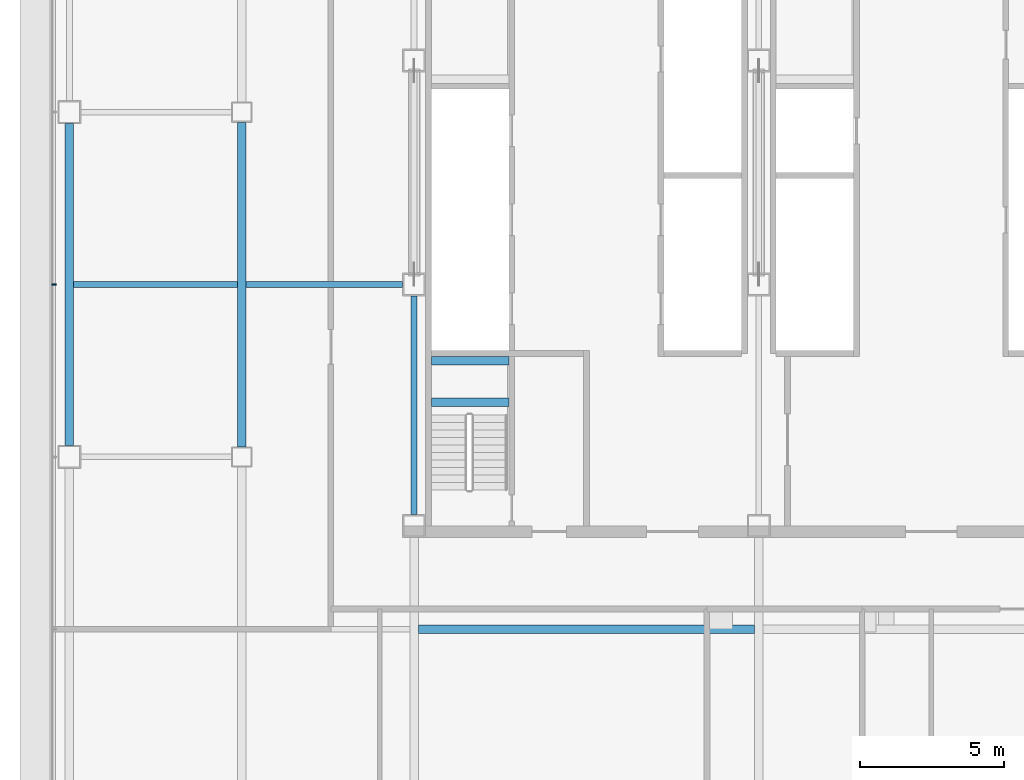
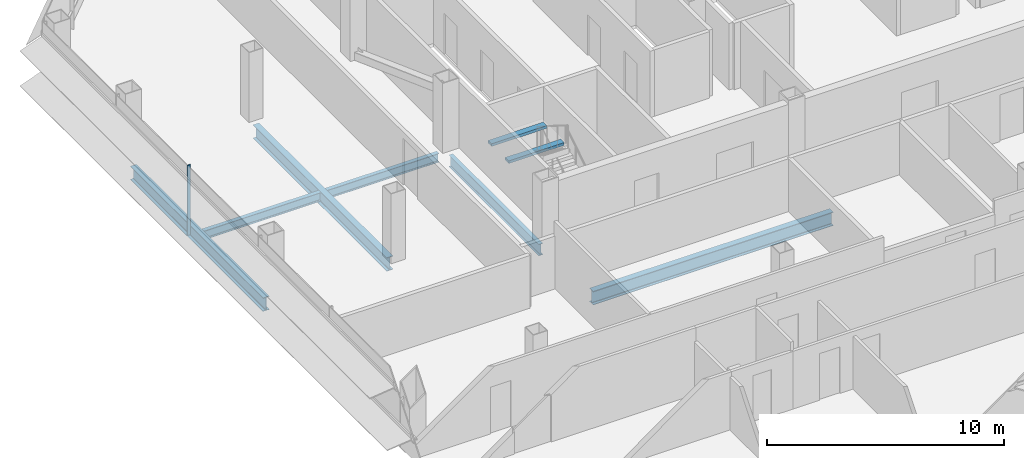
# One storey, part 6 of 25: 8 beams, 1 member, 1 element without a shape of its own.
"""IFC4 building model written with IfcOpenShell, lengths in metres."""

from ifc_helpers import new_model, si_unit, direction, frame, origin, origin_2d, place, context, subcontext, project, spatial, rectangle, i_section, extrude, material, material_profile, profile_set, type_object, element, aggregate, save


model = new_model("IFC4")

# Units and contexts
model_context = context("Model", 3, precision=1e-05, world=origin(), true_north=direction((0.0, 1.0)))
body_context = subcontext(model_context, "Body", "Model", "MODEL_VIEW")
ifc_project = project(units=[si_unit("LENGTHUNIT", "METRE"), si_unit("AREAUNIT", "SQUARE_METRE"), si_unit("VOLUMEUNIT", "CUBIC_METRE"), si_unit("PLANEANGLEUNIT", "RADIAN"), si_unit("MASSUNIT", "GRAM", prefix="KILO")], contexts=[model_context])

# Site, building, storey
site_placement = place(None, origin())
site = spatial("IfcSite", under=ifc_project, at=site_placement, CompositionType="ELEMENT")
building_placement = place(site_placement, origin())
building = spatial("IfcBuilding", under=site, at=building_placement, Name="Sorahane Residences", CompositionType="ELEMENT")
storey_placement = place(building_placement, frame((0.0, 0.0, 107.0)))
storey = spatial("IfcBuildingStorey", under=building, at=storey_placement, Name="L23", CompositionType="ELEMENT", Elevation=107.0)

# Curtain wall, member
ifc_material_1 = material(Name="Dark low-e glass and black anodised aluminium", Category="aluminium")
curtain_wall_type = type_object("IfcCurtainWallType", Name="Curtain wall CW-1 Typical unitised wall", PredefinedType="NOTDEFINED", material=ifc_material_1)
curtain_wall_placement = place(storey_placement, origin())
curtain_wall = element("IfcCurtainWall", 1, at=curtain_wall_placement, inside=storey, type_object=curtain_wall_type, Name="CW-1 curtain wall L23 W1", PredefinedType="NOTDEFINED")
ifc_material_2 = material(Name="Black anodised aluminium", Category="aluminium")
ifc_material_profile_1 = material_profile(ifc_material_2, rectangle(XDim=0.159912109375, YDim=0.050048828125, at=origin_2d()), Name="Curtain wall mullion CW-1 black anodised aluminium 50x160")
ifc_profile_set_1 = profile_set([ifc_material_profile_1], Name="Black anodised aluminium")
member_type = type_object("IfcMemberType", Name="Curtain wall mullion CW-1 black anodised aluminium 50x160", PredefinedType="MULLION", material=ifc_profile_set_1)
member_placement = place(storey_placement, frame((-6.5400390625, 30.0, -0.179931640625), z_axis=(0.0, 0.0, 1.0), x_axis=(-1.0, 0.0, 0.0)))
member = element("IfcMember", 2, at=member_placement, type_object=member_type, Name="CW-1 mullion L23 W1.3", PredefinedType="MULLION", context=body_context, shape_type="SweptSolid", body=[
    extrude(rectangle(XDim=0.159912109375, YDim=0.050048828125, at=origin_2d()), origin(), (0.0, 0.0, 1.0), 3.599853515625),
])
aggregate(curtain_wall, [member])

# Beams
ifc_material_3 = material(Name="Concrete C40", Category="concrete")
ifc_material_profile_2 = material_profile(ifc_material_3, rectangle(XDim=0.300048828125, YDim=0.139892578125, at=origin_2d()), Name="300x140")
ifc_profile_set_2 = profile_set([ifc_material_profile_2], Name="Concrete C40")
beam_type_1 = type_object("IfcBeamType", Name="RC landing beam 300 x 140 Concrete C40", PredefinedType="BEAM", material=ifc_profile_set_2)
for number, where, z_axis, x_axis, name in (
    (3, (6.60009765625, 25.89990234375, 1.530029296875), (1.0, 0.0, 0.0), (0.0, 1.0, 0.0), "Landing beam"),
    (4, (6.60009765625, 27.35009765625, 1.530029296875), (1.0, 0.0, 0.0), (0.0, 1.0, 0.0), "Landing beam"),
):
    element("IfcBeam", number, at=place(storey_placement, frame(where, z_axis=z_axis, x_axis=x_axis)), inside=storey, type_object=beam_type_1, Name=name, PredefinedType="BEAM", context=body_context, shape_type="SweptSolid", body=[
        extrude(rectangle(XDim=0.300048828125, YDim=0.139892578125, at=origin_2d()), origin(), (0.0, 0.0, 1.0), 2.699951171875),
    ])
ifc_material_4 = material(Name="Steel Q355B", Category="steel")
ifc_material_profile_3 = material_profile(ifc_material_4, i_section(OverallWidth=0.199951171875, OverallDepth=0.449951171875, WebThickness=0.009033203125, FlangeThickness=0.013916015625, FilletRadius=0.02001953125, at=origin_2d()), Name="HN 450x200x9x14")
ifc_profile_set_3 = profile_set([ifc_material_profile_3], Name="Steel Q355B")
beam_type_2 = type_object("IfcBeamType", Name="Steel floor beam HN 450x200x9x14 Q355B", PredefinedType="BEAM", material=ifc_profile_set_3)
beam_1_placement = place(storey_placement, frame((-5.85009765625, 30.0, -0.405029296875), z_axis=(1.0, 0.0, 0.0), x_axis=(0.0, 1.0, 0.0)))
element("IfcBeam", 5, at=beam_1_placement, inside=storey, type_object=beam_type_2, Name="Beam L23 085", PredefinedType="BEAM", context=body_context, shape_type="SweptSolid", body=[
    extrude(i_section(OverallWidth=0.199951171875, OverallDepth=0.449951171875, WebThickness=0.009033203125, FlangeThickness=0.013916015625, FilletRadius=0.02001953125, at=origin_2d()), origin(), (0.0, 0.0, 1.0), 5.7001953125),
])
beam_2_placement = place(storey_placement, frame((0.14990234375, 30.0, -0.405029296875), z_axis=(1.0, 0.0, 0.0), x_axis=(0.0, 1.0, 0.0)))
element("IfcBeam", 6, at=beam_2_placement, inside=storey, type_object=beam_type_2, Name="Beam L23 086", PredefinedType="BEAM", context=body_context, shape_type="SweptSolid", body=[
    extrude(i_section(OverallWidth=0.199951171875, OverallDepth=0.449951171875, WebThickness=0.009033203125, FlangeThickness=0.013916015625, FilletRadius=0.02001953125, at=origin_2d()), origin(), (0.0, 0.0, 1.0), 5.4501953125),
])
ifc_material_5 = material(Name="Steel Q355B", Category="steel")
ifc_material_profile_4 = material_profile(ifc_material_5, i_section(OverallWidth=0.199951171875, OverallDepth=0.60009765625, WebThickness=0.010986328125, FlangeThickness=0.01708984375, FilletRadius=0.02392578125, at=origin_2d()), Name="HN 600x200x11x17")
ifc_profile_set_4 = profile_set([ifc_material_profile_4], Name="Steel Q355B")
beam_type_3 = type_object("IfcBeamType", Name="Steel floor beam HN 600x200x11x17 Q355B", PredefinedType="BEAM", material=ifc_profile_set_4)
beam_3_placement = place(storey_placement, frame((6.0, 22.0, -0.47998046875), z_axis=(0.0, 1.0, 0.0), x_axis=(-1.0, 0.0, 0.0)))
element("IfcBeam", 7, at=beam_3_placement, inside=storey, type_object=beam_type_3, Name="Beam L23 030", PredefinedType="BEAM", context=body_context, shape_type="SweptSolid", body=[
    extrude(i_section(OverallWidth=0.199951171875, OverallDepth=0.60009765625, WebThickness=0.010986328125, FlangeThickness=0.01708984375, FilletRadius=0.02392578125, at=origin_2d()), origin(), (0.0, 0.0, 1.0), 7.60009765625),
])
ifc_material_6 = material(Name="Steel Q355B", Category="steel")
ifc_material_profile_5 = material_profile(ifc_material_6, i_section(OverallWidth=0.300048828125, OverallDepth=0.699951171875, WebThickness=0.012939453125, FlangeThickness=0.02392578125, FilletRadius=0.028076171875, at=origin_2d()), Name="HN 700x300x13x24")
ifc_profile_set_5 = profile_set([ifc_material_profile_5], Name="Steel Q355B")
beam_type_4 = type_object("IfcBeamType", Name="Steel floor beam HN 700x300x13x24 Q355B", PredefinedType="BEAM", material=ifc_profile_set_5)
beam_4_placement = place(storey_placement, frame((-6.0, 24.39990234375, -0.530029296875), z_axis=(0.0, 1.0, 0.0), x_axis=(-1.0, 0.0, 0.0)))
element("IfcBeam", 8, at=beam_4_placement, inside=storey, type_object=beam_type_4, Name="Beam L23 022", PredefinedType="BEAM", context=body_context, shape_type="SweptSolid", body=[
    extrude(i_section(OverallWidth=0.300048828125, OverallDepth=0.699951171875, WebThickness=0.012939453125, FlangeThickness=0.02392578125, FilletRadius=0.028076171875, at=origin_2d()), origin(), (0.0, 0.0, 1.0), 11.2001953125),
])
beam_5_placement = place(storey_placement, frame((0.0, 24.35009765625, -0.530029296875), z_axis=(0.0, 1.0, 0.0), x_axis=(-1.0, 0.0, 0.0)))
element("IfcBeam", 9, at=beam_5_placement, inside=storey, type_object=beam_type_4, Name="Beam L23 026", PredefinedType="BEAM", context=body_context, shape_type="SweptSolid", body=[
    extrude(i_section(OverallWidth=0.300048828125, OverallDepth=0.699951171875, WebThickness=0.012939453125, FlangeThickness=0.02392578125, FilletRadius=0.028076171875, at=origin_2d()), origin(), (0.0, 0.0, 1.0), 11.2998046875),
])
beam_6_placement = place(storey_placement, frame((6.14990234375, 18.0, -0.530029296875), z_axis=(1.0, 0.0, 0.0), x_axis=(0.0, 1.0, 0.0)))
element("IfcBeam", 10, at=beam_6_placement, inside=storey, type_object=beam_type_4, Name="Beam L23 080", PredefinedType="BEAM", context=body_context, shape_type="SweptSolid", body=[
    extrude(i_section(OverallWidth=0.300048828125, OverallDepth=0.699951171875, WebThickness=0.012939453125, FlangeThickness=0.02392578125, FilletRadius=0.028076171875, at=origin_2d()), origin(), (0.0, 0.0, 1.0), 11.7001953125),
])

save(model, "model.ifc")
